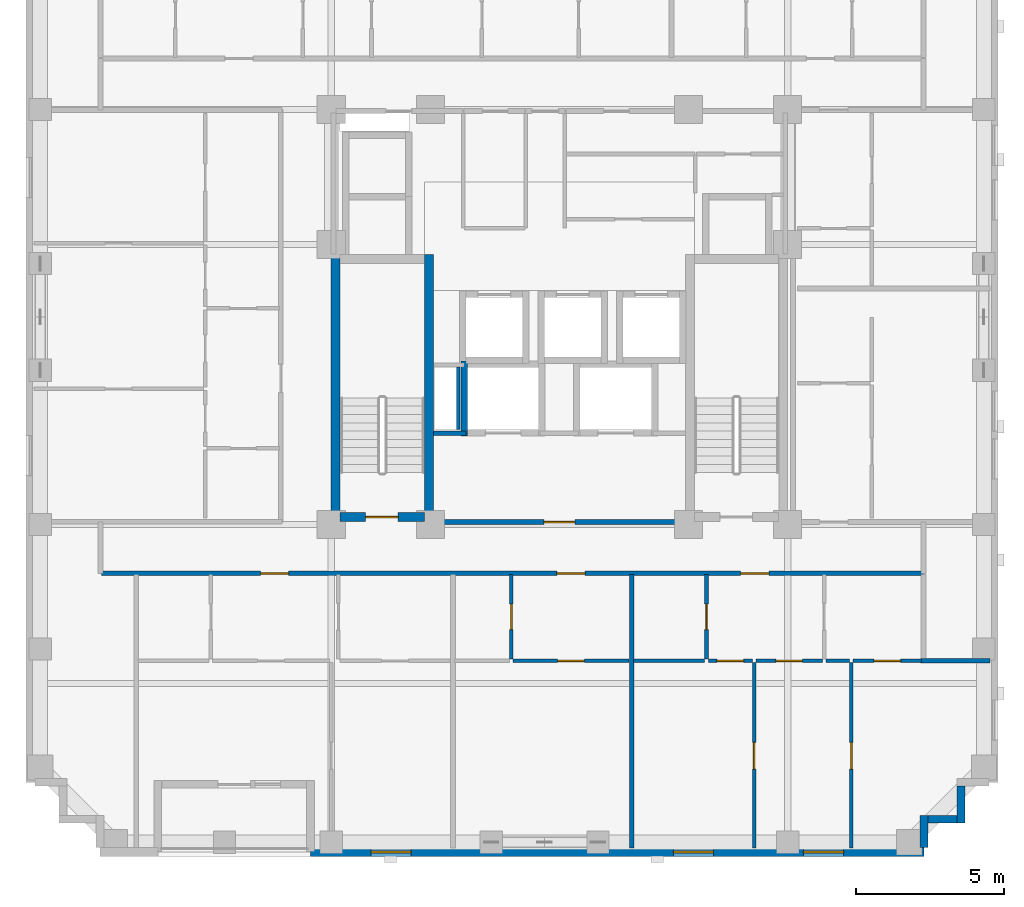
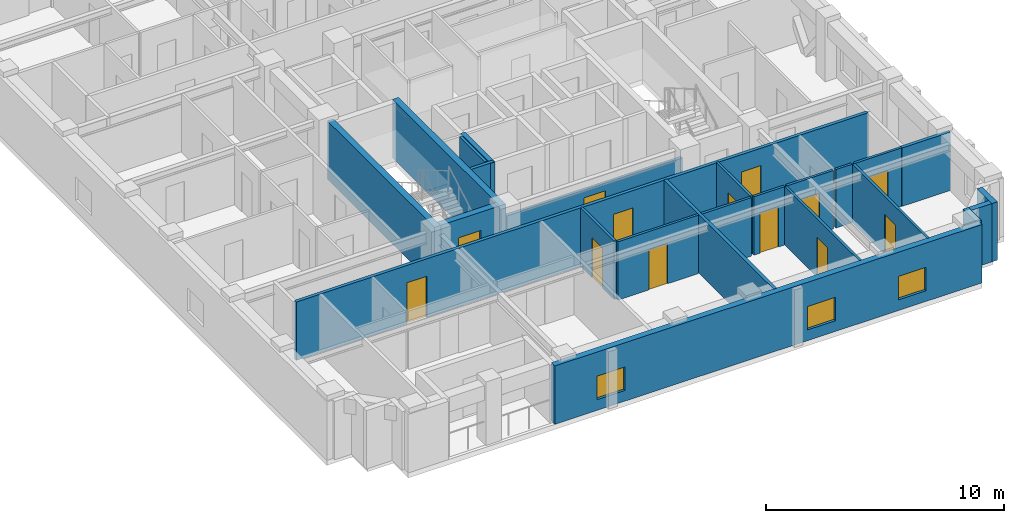
# One storey, part 3 of 11: 24 walls, 13 doors, 3 windows, 16 openings.
"""IFC4 building model written with IfcOpenShell, lengths in metres."""

from ifc_helpers import new_model, si_unit, derived_unit, direction, frame, frame_2d, origin, place, context, subcontext, project, spatial, rectangle, extrude, material, layer, layer_set, type_object, element, fill, save


model = new_model("IFC4")

# Units and contexts
model_context = context("Model", 3, precision=1e-05, world=origin(), true_north=direction((0.0, 1.0)))
body_context = subcontext(model_context, "Body", "Model", "MODEL_VIEW")
ifc_project = project(units=[si_unit("LENGTHUNIT", "METRE"), si_unit("AREAUNIT", "SQUARE_METRE"), si_unit("VOLUMEUNIT", "CUBIC_METRE"), si_unit("PLANEANGLEUNIT", "RADIAN"), si_unit("MASSUNIT", "GRAM", prefix="KILO"), derived_unit("THERMALTRANSMITTANCEUNIT", [(si_unit("MASSUNIT", "GRAM", prefix="KILO"), 1), (si_unit("TIMEUNIT", "SECOND"), -3), (si_unit("THERMODYNAMICTEMPERATUREUNIT", "KELVIN"), -1)])], contexts=[model_context])

# Site, building, storey
site_placement = place(None, origin())
site = spatial("IfcSite", under=ifc_project, at=site_placement, CompositionType="ELEMENT")
building_placement = place(site_placement, origin())
building = spatial("IfcBuilding", under=site, at=building_placement, Name="Korrvale Station Residences", CompositionType="ELEMENT")
storey_placement = place(building_placement, frame((0.0, 0.0, 137.39990234375)))
storey = spatial("IfcBuildingStorey", under=building, at=storey_placement, Name="L39", CompositionType="ELEMENT", Elevation=137.39990234375)

# Walls
ifc_material_1 = material(Name="Concrete C60/75", Category="concrete")
ifc_layer_1 = layer(ifc_material_1, 0.300048828125, Name="Concrete C60/75")
ifc_layer_set_1 = layer_set([ifc_layer_1], Name="Concrete C60/75")
wall_type_1 = type_object("IfcWallType", Name="WAL-CORE-300-C60", PredefinedType="SHEAR", material=ifc_layer_set_1)
for number, where, z_axis, x_axis, name in (
    (1, (17.949951171875, 15.10009765625, 0.0), (0.0, 0.0, 1.0), (0.0, 1.0, 0.0), "L39 ST-1 Core Shear Wall West"),
    (2, (21.10009765625, 15.10009765625, 0.0), (0.0, 0.0, 1.0), (0.0, 1.0, 0.0), "L39 ST-1 Core Shear Wall East"),
):
    element("IfcWall", number, at=place(storey_placement, frame(where, z_axis=z_axis, x_axis=x_axis)), inside=storey, type_object=wall_type_1, Name=name, PredefinedType="SHEAR", context=body_context, shape_type="SweptSolid", body=[
        extrude(rectangle(XDim=9.0, YDim=0.300048828125, at=frame_2d((4.5, 0.0))), origin(), (0.0, 0.0, 1.0), 2.989990234375),
    ])

# Wall, opening, door
wall_1_placement = place(storey_placement, frame((18.10009765625, 15.25, 0.0), z_axis=(0.0, 0.0, 1.0), x_axis=(1.0, 0.0, 0.0)))
wall_1 = element("IfcWall", 3, at=wall_1_placement, inside=storey, type_object=wall_type_1, Name="L39 ST-1 Core Shear Wall South", PredefinedType="SHEAR", context=body_context, shape_type="SweptSolid", body=[
    extrude(rectangle(XDim=2.849853515625, YDim=0.300048828125, at=frame_2d((1.4248046875, 0.0))), origin(), (0.0, 0.0, 1.0), 2.989990234375),
])
opening_1_placement = place(wall_1_placement, frame((0.860107421875, 0.0, 0.0)))
opening_1 = element("IfcOpeningElement", 4, at=opening_1_placement, cuts=wall_1, Name="Opening SD-1100", PredefinedType="OPENING", context=body_context, shape_type="SweptSolid", body=[
    extrude(rectangle(XDim=1.10009765625, YDim=2.050048828125, at=frame_2d((0.550048828125, 1.02490234375))), frame((0.0, 0.16015625, 0.0), z_axis=(0.0, -1.0, 0.0), x_axis=(1.0, 0.0, 0.0)), (0.0, 0.0, 1.0), 0.320068359375),
])
ifc_material_2 = material(Name="Hollow-metal fire-rated stair door with closer", Category="steel")
door_type_1 = type_object("IfcDoorType", Name="DR-STAIR-1100", OperationType="NOTDEFINED", PredefinedType="DOOR", material=ifc_material_2)
door_1_placement = place(opening_1_placement, origin())
door_1 = element("IfcDoor", 5, at=door_1_placement, inside=storey, type_object=door_type_1, Name="L39 ST-1 Exit Stair Door", OperationType="SINGLE_SWING_LEFT", OverallHeight=2.050048828125, OverallWidth=1.10009765625, PredefinedType="DOOR", context=body_context, shape_type="SweptSolid", body=[
    extrude(rectangle(XDim=1.10009765625, YDim=2.050048828125, at=frame_2d((0.550048828125, 1.02490234375))), frame((0.0, 0.02490234375, 0.0), z_axis=(0.0, -1.0, 0.0), x_axis=(1.0, 0.0, 0.0)), (0.0, 0.0, 1.0), 0.050048828125),
])
fill(opening_1, door_1)

# Walls
ifc_material_3 = material(Name="Precast concrete C45/55", Category="concrete")
ifc_layer_2 = layer(ifc_material_3, 0.260009765625, Name="Precast concrete C45/55")
ifc_layer_set_2 = layer_set([ifc_layer_2], Name="Precast concrete C45/55")
wall_type_2 = type_object("IfcWallType", Name="WAL-EXT-LOG260", PredefinedType="SOLIDWALL", material=ifc_layer_set_2)
wall_2_placement = place(storey_placement, frame((39.050048828125, 6.16796875, 0.0), z_axis=(0.0, 0.0, 1.0), x_axis=(0.0, -1.0, 0.0)))
element("IfcWall", 6, at=wall_2_placement, inside=storey, type_object=wall_type_2, Name="L39 Serrated Corner Precast Step SE-2", PredefinedType="SOLIDWALL", context=body_context, shape_type="SweptSolid", body=[
    extrude(rectangle(XDim=1.248046875, YDim=0.260009765625, at=frame_2d((0.6240234375, 0.0))), origin(), (0.0, 0.0, 1.0), 2.989990234375),
])
wall_3_placement = place(storey_placement, frame((38.91796875, 5.050048828125, 0.0), z_axis=(0.0, 0.0, 1.0), x_axis=(-1.0, 0.0, 0.0)))
element("IfcWall", 7, at=wall_3_placement, inside=storey, type_object=wall_type_2, Name="L39 Serrated Corner Precast Step SE-3", PredefinedType="SOLIDWALL", context=body_context, shape_type="SweptSolid", body=[
    extrude(rectangle(XDim=0.986083984375, YDim=0.260009765625, at=frame_2d((0.4931640625, 0.0))), origin(), (0.0, 0.0, 1.0), 2.989990234375),
])
wall_4_placement = place(storey_placement, frame((37.800048828125, 5.179931640625, 0.0), z_axis=(0.0, 0.0, 1.0), x_axis=(0.0, -1.0, 0.0)))
element("IfcWall", 8, at=wall_4_placement, inside=storey, type_object=wall_type_2, Name="L39 Serrated Corner Precast Step SE-4", PredefinedType="SOLIDWALL", context=body_context, shape_type="SweptSolid", body=[
    extrude(rectangle(XDim=1.077880859375, YDim=0.260009765625, at=frame_2d((0.5390625, 0.0))), origin(), (0.0, 0.0, 1.0), 2.989990234375),
])

# Wall, openings, windows
ifc_layer_3 = layer(ifc_material_3, 0.300048828125, Name="Precast concrete C45/55")
ifc_layer_set_3 = layer_set([ifc_layer_3], Name="Precast concrete C45/55")
wall_type_3 = type_object("IfcWallType", Name="WAL-EXT-PC300", PredefinedType="SOLIDWALL", material=ifc_layer_set_3)
wall_5_placement = place(storey_placement, frame((37.800048828125, 3.949951171875, 0.0), z_axis=(0.0, 0.0, 1.0), x_axis=(-1.0, 0.0, 0.0)))
wall_5 = element("IfcWall", 9, at=wall_5_placement, inside=storey, type_object=wall_type_3, Name="L39 South Exterior Precast Wall 1", PredefinedType="SOLIDWALL", context=body_context, shape_type="SweptSolid", body=[
    extrude(rectangle(XDim=20.699951171875, YDim=0.300048828125, at=frame_2d((10.35009765625, 0.0))), origin(), (0.0, 0.0, 1.0), 2.989990234375),
])
opening_2_placement = place(wall_5_placement, frame((17.304931640625, 0.0, 0.550048828125)))
opening_2 = element("IfcOpeningElement", 10, at=opening_2_placement, cuts=wall_5, Name="Opening W-10", PredefinedType="OPENING", context=body_context, shape_type="SweptSolid", body=[
    extrude(rectangle(XDim=1.35009765625, YDim=1.199951171875, at=frame_2d((0.675048828125, 0.60009765625))), frame((0.0, 0.16015625, 0.0), z_axis=(0.0, -1.0, 0.0), x_axis=(1.0, 0.0, 0.0)), (0.0, 0.0, 1.0), 0.320068359375),
])
opening_3_placement = place(wall_5_placement, frame((7.10595703125, 0.0, 0.550048828125)))
opening_3 = element("IfcOpeningElement", 11, at=opening_3_placement, cuts=wall_5, Name="Opening W-10", PredefinedType="OPENING", context=body_context, shape_type="SweptSolid", body=[
    extrude(rectangle(XDim=1.35009765625, YDim=1.199951171875, at=frame_2d((0.675048828125, 0.60009765625))), frame((0.0, 0.16015625, 0.0), z_axis=(0.0, -1.0, 0.0), x_axis=(1.0, 0.0, 0.0)), (0.0, 0.0, 1.0), 0.320068359375),
])
opening_4_placement = place(wall_5_placement, frame((2.715087890625, 0.0, 0.550048828125)))
opening_4 = element("IfcOpeningElement", 12, at=opening_4_placement, cuts=wall_5, Name="Opening W-10", PredefinedType="OPENING", context=body_context, shape_type="SweptSolid", body=[
    extrude(rectangle(XDim=1.35009765625, YDim=1.199951171875, at=frame_2d((0.675048828125, 0.60009765625))), frame((0.0, 0.16015625, 0.0), z_axis=(0.0, -1.0, 0.0), x_axis=(1.0, 0.0, 0.0)), (0.0, 0.0, 1.0), 0.320068359375),
])
ifc_material_4 = material(Name="Thermally broken aluminium frame with triple low-e glazing", Category="aluminium")
window_type = type_object("IfcWindowType", Name="WIN-W10", PartitioningType="SINGLE_PANEL", PredefinedType="WINDOW", material=ifc_material_4)
window_1_placement = place(opening_2_placement, origin())
window_1 = element("IfcWindow", 13, at=window_1_placement, inside=storey, type_object=window_type, Name="L39 Punched Window 02", OverallHeight=1.199951171875, OverallWidth=1.35009765625, PartitioningType="SINGLE_PANEL", PredefinedType="WINDOW", context=body_context, shape_type="SweptSolid", body=[
    extrude(rectangle(XDim=1.35009765625, YDim=1.199951171875, at=frame_2d((0.675048828125, 0.60009765625))), frame((0.0, 0.030029296875, 0.0), z_axis=(0.0, -1.0, 0.0), x_axis=(1.0, 0.0, 0.0)), (0.0, 0.0, 1.0), 0.06005859375),
])
fill(opening_2, window_1)
window_2_placement = place(opening_3_placement, origin())
window_2 = element("IfcWindow", 14, at=window_2_placement, inside=storey, type_object=window_type, Name="L39 Punched Window 03", OverallHeight=1.199951171875, OverallWidth=1.35009765625, PartitioningType="SINGLE_PANEL", PredefinedType="WINDOW", context=body_context, shape_type="SweptSolid", body=[
    extrude(rectangle(XDim=1.35009765625, YDim=1.199951171875, at=frame_2d((0.675048828125, 0.60009765625))), frame((0.0, 0.030029296875, 0.0), z_axis=(0.0, -1.0, 0.0), x_axis=(1.0, 0.0, 0.0)), (0.0, 0.0, 1.0), 0.06005859375),
])
fill(opening_3, window_2)
window_3_placement = place(opening_4_placement, origin())
window_3 = element("IfcWindow", 15, at=window_3_placement, inside=storey, type_object=window_type, Name="L39 Punched Window 04", OverallHeight=1.199951171875, OverallWidth=1.35009765625, PartitioningType="SINGLE_PANEL", PredefinedType="WINDOW", context=body_context, shape_type="SweptSolid", body=[
    extrude(rectangle(XDim=1.35009765625, YDim=1.199951171875, at=frame_2d((0.675048828125, 0.60009765625))), frame((0.0, 0.030029296875, 0.0), z_axis=(0.0, -1.0, 0.0), x_axis=(1.0, 0.0, 0.0)), (0.0, 0.0, 1.0), 0.06005859375),
])
fill(opening_4, window_3)

# Wall
ifc_material_5 = material(Name="Acoustic steel-stud gypsum board partition", Category="steel")
ifc_layer_4 = layer(ifc_material_5, 0.1201171875, Name="Acoustic steel-stud gypsum board partition")
ifc_layer_set_4 = layer_set([ifc_layer_4], Name="Acoustic steel-stud gypsum board partition")
wall_type_4 = type_object("IfcWallType", Name="WAL-PART-125", PredefinedType="PARTITIONING", material=ifc_layer_set_4)
wall_6_placement = place(storey_placement, frame((22.080078125, 18.199951171875, 0.0), z_axis=(0.0, 0.0, 1.0), x_axis=(0.0, 1.0, 0.0)))
element("IfcWall", 16, at=wall_6_placement, inside=storey, type_object=wall_type_4, Name="L39 Core Partition CW-RSWT", PredefinedType="PARTITIONING", context=body_context, shape_type="SweptSolid", body=[
    extrude(rectangle(XDim=2.1201171875, YDim=0.1201171875, at=frame_2d((1.06005859375, 0.0))), origin(), (0.0, 0.0, 1.0), 2.989990234375),
])

# Wall, opening, door
wall_7_placement = place(storey_placement, frame((23.8779296875, 10.4599609375, 0.0), z_axis=(0.0, 0.0, 1.0), x_axis=(0.0, 1.0, 0.0)))
wall_7 = element("IfcWall", 17, at=wall_7_placement, inside=storey, type_object=wall_type_4, Name="L39 Suite Partition U02-V01", PredefinedType="PARTITIONING", context=body_context, shape_type="SweptSolid", body=[
    extrude(rectangle(XDim=2.85009765625, YDim=0.1201171875, at=frame_2d((1.425048828125, 0.0))), origin(), (0.0, 0.0, 1.0), 2.989990234375),
])
opening_5_placement = place(wall_7_placement, frame((0.9951171875, 0.0, 0.0)))
opening_5 = element("IfcOpeningElement", 18, at=opening_5_placement, cuts=wall_7, Name="Opening DB-860", PredefinedType="OPENING", context=body_context, shape_type="SweptSolid", body=[
    extrude(rectangle(XDim=0.860107421875, YDim=2.050048828125, at=frame_2d((0.43017578125, 1.02490234375))), frame((0.0, 0.070068359375, 0.0), z_axis=(0.0, -1.0, 0.0), x_axis=(1.0, 0.0, 0.0)), (0.0, 0.0, 1.0), 0.14013671875),
])
ifc_material_6 = material(Name="Moisture-resistant solid-core bathroom door", Category="timber")
door_type_2 = type_object("IfcDoorType", Name="DR-BATH-860", OperationType="NOTDEFINED", PredefinedType="DOOR", material=ifc_material_6)
door_2_placement = place(opening_5_placement, origin())
door_2 = element("IfcDoor", 19, at=door_2_placement, inside=storey, type_object=door_type_2, Name="L39 Studio Apartment L39-U02 Bathroom Door", OperationType="SINGLE_SWING_RIGHT", OverallHeight=2.050048828125, OverallWidth=0.860107421875, PredefinedType="DOOR", context=body_context, shape_type="SweptSolid", body=[
    extrude(rectangle(XDim=0.860107421875, YDim=2.050048828125, at=frame_2d((0.43017578125, 1.02490234375))), frame((0.0, 0.02490234375, 0.0), z_axis=(0.0, -1.0, 0.0), x_axis=(1.0, 0.0, 0.0)), (0.0, 0.0, 1.0), 0.050048828125),
])
fill(opening_5, door_2)

wall_8_placement = place(storey_placement, frame((23.93798828125, 10.39990234375, 0.0), z_axis=(0.0, 0.0, 1.0), x_axis=(1.0, 0.0, 0.0)))
wall_8 = element("IfcWall", 20, at=wall_8_placement, inside=storey, type_object=wall_type_4, Name="L39 Suite Partition U02-H12", PredefinedType="PARTITIONING", context=body_context, shape_type="SweptSolid", body=[
    extrude(rectangle(XDim=3.904052734375, YDim=0.1201171875, at=frame_2d((1.9521484375, 0.0))), origin(), (0.0, 0.0, 1.0), 2.989990234375),
])
opening_6_placement = place(wall_8_placement, frame((1.501953125, 0.0, 0.0)))
opening_6 = element("IfcOpeningElement", 21, at=opening_6_placement, cuts=wall_8, Name="Opening DI-900", PredefinedType="OPENING", context=body_context, shape_type="SweptSolid", body=[
    extrude(rectangle(XDim=0.89990234375, YDim=2.050048828125, at=frame_2d((0.449951171875, 1.02490234375))), frame((0.0, 0.070068359375, 0.0), z_axis=(0.0, -1.0, 0.0), x_axis=(1.0, 0.0, 0.0)), (0.0, 0.0, 1.0), 0.14013671875),
])
ifc_material_7 = material(Name="Painted solid-core timber interior room door", Category="wood")
door_type_3 = type_object("IfcDoorType", Name="DR-INT-900", OperationType="NOTDEFINED", PredefinedType="DOOR", material=ifc_material_7)
door_3_placement = place(opening_6_placement, origin())
door_3 = element("IfcDoor", 22, at=door_3_placement, inside=storey, type_object=door_type_3, Name="L39 Studio Apartment L39-U02 Kitchen Door", OperationType="SINGLE_SWING_LEFT", OverallHeight=2.050048828125, OverallWidth=0.89990234375, PredefinedType="DOOR", context=body_context, shape_type="SweptSolid", body=[
    extrude(rectangle(XDim=0.89990234375, YDim=2.050048828125, at=frame_2d((0.449951171875, 1.02490234375))), frame((0.0, 0.02490234375, 0.0), z_axis=(0.0, -1.0, 0.0), x_axis=(1.0, 0.0, 0.0)), (0.0, 0.0, 1.0), 0.050048828125),
])
fill(opening_6, door_3)

wall_9_placement = place(storey_placement, frame((30.4619140625, 10.4599609375, 0.0), z_axis=(0.0, 0.0, 1.0), x_axis=(0.0, 1.0, 0.0)))
wall_9 = element("IfcWall", 23, at=wall_9_placement, inside=storey, type_object=wall_type_4, Name="L39 Suite Partition U03-V01", PredefinedType="PARTITIONING", context=body_context, shape_type="SweptSolid", body=[
    extrude(rectangle(XDim=2.85009765625, YDim=0.1201171875, at=frame_2d((1.425048828125, 0.0))), origin(), (0.0, 0.0, 1.0), 2.989990234375),
])
opening_7_placement = place(wall_9_placement, frame((0.9951171875, 0.0, 0.0)))
opening_7 = element("IfcOpeningElement", 24, at=opening_7_placement, cuts=wall_9, Name="Opening DB-860", PredefinedType="OPENING", context=body_context, shape_type="SweptSolid", body=[
    extrude(rectangle(XDim=0.860107421875, YDim=2.050048828125, at=frame_2d((0.43017578125, 1.02490234375))), frame((0.0, 0.070068359375, 0.0), z_axis=(0.0, -1.0, 0.0), x_axis=(1.0, 0.0, 0.0)), (0.0, 0.0, 1.0), 0.14013671875),
])
door_4_placement = place(opening_7_placement, origin())
door_4 = element("IfcDoor", 25, at=door_4_placement, inside=storey, type_object=door_type_2, Name="L39 Apartment 1BR L39-U03 Bathroom Door", OperationType="SINGLE_SWING_RIGHT", OverallHeight=2.050048828125, OverallWidth=0.860107421875, PredefinedType="DOOR", context=body_context, shape_type="SweptSolid", body=[
    extrude(rectangle(XDim=0.860107421875, YDim=2.050048828125, at=frame_2d((0.43017578125, 1.02490234375))), frame((0.0, 0.02490234375, 0.0), z_axis=(0.0, -1.0, 0.0), x_axis=(1.0, 0.0, 0.0)), (0.0, 0.0, 1.0), 0.050048828125),
])
fill(opening_7, door_4)

# Wall
wall_10_placement = place(storey_placement, frame((28.001953125, 10.39990234375, 0.0), z_axis=(0.0, 0.0, 1.0), x_axis=(1.0, 0.0, 0.0)))
element("IfcWall", 26, at=wall_10_placement, inside=storey, type_object=wall_type_4, Name="L39 Suite Partition U03-H03", PredefinedType="PARTITIONING", context=body_context, shape_type="SweptSolid", body=[
    extrude(rectangle(XDim=2.400146484375, YDim=0.1201171875, at=frame_2d((1.2001953125, 0.0))), origin(), (0.0, 0.0, 1.0), 2.989990234375),
])

# Wall, opening, door
wall_11_placement = place(storey_placement, frame((30.52197265625, 10.39990234375, 0.0), z_axis=(0.0, 0.0, 1.0), x_axis=(1.0, 0.0, 0.0)))
wall_11 = element("IfcWall", 27, at=wall_11_placement, inside=storey, type_object=wall_type_4, Name="L39 Suite Partition U03-H13", PredefinedType="PARTITIONING", context=body_context, shape_type="SweptSolid", body=[
    extrude(rectangle(XDim=1.488037109375, YDim=0.1201171875, at=frame_2d((0.744140625, 0.0))), origin(), (0.0, 0.0, 1.0), 2.989990234375),
])
opening_8_placement = place(wall_11_placement, frame((0.2939453125, 0.0, 0.0)))
opening_8 = element("IfcOpeningElement", 28, at=opening_8_placement, cuts=wall_11, Name="Opening DI-900", PredefinedType="OPENING", context=body_context, shape_type="SweptSolid", body=[
    extrude(rectangle(XDim=0.89990234375, YDim=2.050048828125, at=frame_2d((0.449951171875, 1.02490234375))), frame((0.0, 0.070068359375, 0.0), z_axis=(0.0, -1.0, 0.0), x_axis=(1.0, 0.0, 0.0)), (0.0, 0.0, 1.0), 0.14013671875),
])
door_5_placement = place(opening_8_placement, origin())
door_5 = element("IfcDoor", 29, at=door_5_placement, inside=storey, type_object=door_type_3, Name="L39 Apartment 1BR L39-U03 Kitchen Door", OperationType="SINGLE_SWING_RIGHT", OverallHeight=2.050048828125, OverallWidth=0.89990234375, PredefinedType="DOOR", context=body_context, shape_type="SweptSolid", body=[
    extrude(rectangle(XDim=0.89990234375, YDim=2.050048828125, at=frame_2d((0.449951171875, 1.02490234375))), frame((0.0, 0.02490234375, 0.0), z_axis=(0.0, -1.0, 0.0), x_axis=(1.0, 0.0, 0.0)), (0.0, 0.0, 1.0), 0.050048828125),
])
fill(opening_8, door_5)

wall_12_placement = place(storey_placement, frame((32.1298828125, 10.39990234375, 0.0), z_axis=(0.0, 0.0, 1.0), x_axis=(1.0, 0.0, 0.0)))
wall_12 = element("IfcWall", 30, at=wall_12_placement, inside=storey, type_object=wall_type_4, Name="L39 Suite Partition U03-H14", PredefinedType="PARTITIONING", context=body_context, shape_type="SweptSolid", body=[
    extrude(rectangle(XDim=2.240234375, YDim=0.1201171875, at=frame_2d((1.1201171875, 0.0))), origin(), (0.0, 0.0, 1.0), 2.989990234375),
])
opening_9_placement = place(wall_12_placement, frame((0.669921875, 0.0, 0.0)))
opening_9 = element("IfcOpeningElement", 31, at=opening_9_placement, cuts=wall_12, Name="Opening DI-900", PredefinedType="OPENING", context=body_context, shape_type="SweptSolid", body=[
    extrude(rectangle(XDim=0.89990234375, YDim=2.050048828125, at=frame_2d((0.449951171875, 1.02490234375))), frame((0.0, 0.070068359375, 0.0), z_axis=(0.0, -1.0, 0.0), x_axis=(1.0, 0.0, 0.0)), (0.0, 0.0, 1.0), 0.14013671875),
])
door_6_placement = place(opening_9_placement, origin())
door_6 = element("IfcDoor", 32, at=door_6_placement, inside=storey, type_object=door_type_3, Name="L39 Apartment 1BR L39-U03 Kitchen Door", OperationType="SINGLE_SWING_LEFT", OverallHeight=2.050048828125, OverallWidth=0.89990234375, PredefinedType="DOOR", context=body_context, shape_type="SweptSolid", body=[
    extrude(rectangle(XDim=0.89990234375, YDim=2.050048828125, at=frame_2d((0.449951171875, 1.02490234375))), frame((0.0, 0.02490234375, 0.0), z_axis=(0.0, -1.0, 0.0), x_axis=(1.0, 0.0, 0.0)), (0.0, 0.0, 1.0), 0.050048828125),
])
fill(opening_9, door_6)

# Wall
wall_13_placement = place(storey_placement, frame((34.489990234375, 10.39990234375, 0.0), z_axis=(0.0, 0.0, 1.0), x_axis=(1.0, 0.0, 0.0)))
element("IfcWall", 33, at=wall_13_placement, inside=storey, type_object=wall_type_4, Name="L39 Suite Partition U03-H24", PredefinedType="PARTITIONING", context=body_context, shape_type="SweptSolid", body=[
    extrude(rectangle(XDim=0.800048828125, YDim=0.1201171875, at=frame_2d((0.39990234375, 0.0))), origin(), (0.0, 0.0, 1.0), 2.989990234375),
])

# Wall, opening, door
wall_14_placement = place(storey_placement, frame((35.409912109375, 10.39990234375, 0.0), z_axis=(0.0, 0.0, 1.0), x_axis=(1.0, 0.0, 0.0)))
wall_14 = element("IfcWall", 34, at=wall_14_placement, inside=storey, type_object=wall_type_4, Name="L39 Suite Partition U03-H25", PredefinedType="PARTITIONING", context=body_context, shape_type="SweptSolid", body=[
    extrude(rectangle(XDim=2.31005859375, YDim=0.1201171875, at=frame_2d((1.155029296875, 0.0))), origin(), (0.0, 0.0, 1.0), 2.989990234375),
])
opening_10_placement = place(wall_14_placement, frame((0.705078125, 0.0, 0.0)))
opening_10 = element("IfcOpeningElement", 35, at=opening_10_placement, cuts=wall_14, Name="Opening DI-900", PredefinedType="OPENING", context=body_context, shape_type="SweptSolid", body=[
    extrude(rectangle(XDim=0.89990234375, YDim=2.050048828125, at=frame_2d((0.449951171875, 1.02490234375))), frame((0.0, 0.070068359375, 0.0), z_axis=(0.0, -1.0, 0.0), x_axis=(1.0, 0.0, 0.0)), (0.0, 0.0, 1.0), 0.14013671875),
])
door_7_placement = place(opening_10_placement, origin())
door_7 = element("IfcDoor", 36, at=door_7_placement, inside=storey, type_object=door_type_3, Name="L39 Apartment 1BR L39-U03 Wardrobe Storage Room Door", OperationType="SINGLE_SWING_RIGHT", OverallHeight=2.050048828125, OverallWidth=0.89990234375, PredefinedType="DOOR", context=body_context, shape_type="SweptSolid", body=[
    extrude(rectangle(XDim=0.89990234375, YDim=2.050048828125, at=frame_2d((0.449951171875, 1.02490234375))), frame((0.0, 0.02490234375, 0.0), z_axis=(0.0, -1.0, 0.0), x_axis=(1.0, 0.0, 0.0)), (0.0, 0.0, 1.0), 0.050048828125),
])
fill(opening_10, door_7)

wall_15_placement = place(storey_placement, frame((32.070068359375, 4.080078125, 0.0), z_axis=(0.0, 0.0, 1.0), x_axis=(0.0, 1.0, 0.0)))
wall_15 = element("IfcWall", 37, at=wall_15_placement, inside=storey, type_object=wall_type_4, Name="L39 Suite Partition U03-V34", PredefinedType="PARTITIONING", context=body_context, shape_type="SweptSolid", body=[
    extrude(rectangle(XDim=6.260009765625, YDim=0.1201171875, at=frame_2d((3.1298828125, 0.0))), origin(), (0.0, 0.0, 1.0), 2.989990234375),
])
opening_11_placement = place(wall_15_placement, frame((2.6650390625, 0.0, 0.0)))
opening_11 = element("IfcOpeningElement", 38, at=opening_11_placement, cuts=wall_15, Name="Opening DI-900", PredefinedType="OPENING", context=body_context, shape_type="SweptSolid", body=[
    extrude(rectangle(XDim=0.89990234375, YDim=2.050048828125, at=frame_2d((0.449951171875, 1.02490234375))), frame((0.0, 0.070068359375, 0.0), z_axis=(0.0, -1.0, 0.0), x_axis=(1.0, 0.0, 0.0)), (0.0, 0.0, 1.0), 0.14013671875),
])
door_8_placement = place(opening_11_placement, origin())
door_8 = element("IfcDoor", 39, at=door_8_placement, inside=storey, type_object=door_type_3, Name="L39 Apartment 1BR L39-U03 Living and Dining Room Door", OperationType="SINGLE_SWING_LEFT", OverallHeight=2.050048828125, OverallWidth=0.89990234375, PredefinedType="DOOR", context=body_context, shape_type="SweptSolid", body=[
    extrude(rectangle(XDim=0.89990234375, YDim=2.050048828125, at=frame_2d((0.449951171875, 1.02490234375))), frame((0.0, 0.02490234375, 0.0), z_axis=(0.0, -1.0, 0.0), x_axis=(1.0, 0.0, 0.0)), (0.0, 0.0, 1.0), 0.050048828125),
])
fill(opening_11, door_8)

wall_16_placement = place(storey_placement, frame((35.35009765625, 4.080078125, 0.0), z_axis=(0.0, 0.0, 1.0), x_axis=(0.0, 1.0, 0.0)))
wall_16 = element("IfcWall", 40, at=wall_16_placement, inside=storey, type_object=wall_type_4, Name="L39 Suite Partition U03-V45", PredefinedType="PARTITIONING", context=body_context, shape_type="SweptSolid", body=[
    extrude(rectangle(XDim=6.260009765625, YDim=0.1201171875, at=frame_2d((3.1298828125, 0.0))), origin(), (0.0, 0.0, 1.0), 2.989990234375),
])
opening_12_placement = place(wall_16_placement, frame((2.6650390625, 0.0, 0.0)))
opening_12 = element("IfcOpeningElement", 41, at=opening_12_placement, cuts=wall_16, Name="Opening DI-900", PredefinedType="OPENING", context=body_context, shape_type="SweptSolid", body=[
    extrude(rectangle(XDim=0.89990234375, YDim=2.050048828125, at=frame_2d((0.449951171875, 1.02490234375))), frame((0.0, 0.070068359375, 0.0), z_axis=(0.0, -1.0, 0.0), x_axis=(1.0, 0.0, 0.0)), (0.0, 0.0, 1.0), 0.14013671875),
])
door_9_placement = place(opening_12_placement, origin())
door_9 = element("IfcDoor", 42, at=door_9_placement, inside=storey, type_object=door_type_3, Name="L39 Apartment 1BR L39-U03 Formal Dining Room Door", OperationType="SINGLE_SWING_RIGHT", OverallHeight=2.050048828125, OverallWidth=0.89990234375, PredefinedType="DOOR", context=body_context, shape_type="SweptSolid", body=[
    extrude(rectangle(XDim=0.89990234375, YDim=2.050048828125, at=frame_2d((0.449951171875, 1.02490234375))), frame((0.0, 0.02490234375, 0.0), z_axis=(0.0, -1.0, 0.0), x_axis=(1.0, 0.0, 0.0)), (0.0, 0.0, 1.0), 0.050048828125),
])
fill(opening_12, door_9)

ifc_material_8 = material(Name="Fire-rated twin-stud gypsum and mineral wool shaftwall assembly", Category="gypsum")
ifc_layer_5 = layer(ifc_material_8, 0.159912109375, Name="Fire-rated twin-stud gypsum and mineral wool shaftwall assembly")
ifc_layer_set_5 = layer_set([ifc_layer_5], Name="Fire-rated twin-stud gypsum and mineral wool shaftwall assembly")
wall_type_5 = type_object("IfcWallType", Name="WAL-PART-200", PredefinedType="PARTITIONING", material=ifc_layer_set_5)
wall_17_placement = place(storey_placement, frame((21.25, 15.080078125, 0.0), z_axis=(0.0, 0.0, 1.0), x_axis=(1.0, 0.0, 0.0)))
wall_17 = element("IfcWall", 43, at=wall_17_placement, inside=storey, type_object=wall_type_5, Name="L39 Core Partition CW-FFL-S", PredefinedType="PARTITIONING", context=body_context, shape_type="SweptSolid", body=[
    extrude(rectangle(XDim=8.5, YDim=0.159912109375, at=frame_2d((4.25, 0.0))), origin(), (0.0, 0.0, 1.0), 2.426025390625),
])
opening_13_placement = place(wall_17_placement, frame((3.72509765625, 0.0, 0.0)))
opening_13 = element("IfcOpeningElement", 44, at=opening_13_placement, cuts=wall_17, Name="Opening FD-1050", PredefinedType="OPENING", context=body_context, shape_type="SweptSolid", body=[
    extrude(rectangle(XDim=1.050048828125, YDim=2.050048828125, at=frame_2d((0.52490234375, 1.02490234375))), frame((0.0, 0.08984375, 0.0), z_axis=(0.0, -1.0, 0.0), x_axis=(1.0, 0.0, 0.0)), (0.0, 0.0, 1.0), 0.179931640625),
])
ifc_material_9 = material(Name="Fire-rated mineral-core timber lobby door", Category="wood")
door_type_4 = type_object("IfcDoorType", Name="DR-CORE-1050", OperationType="NOTDEFINED", PredefinedType="DOOR", material=ifc_material_9)
door_10_placement = place(opening_13_placement, origin())
door_10 = element("IfcDoor", 45, at=door_10_placement, inside=storey, type_object=door_type_4, Name="L39 Firefighting Lobby Entry Door", OperationType="SINGLE_SWING_RIGHT", OverallHeight=2.050048828125, OverallWidth=1.050048828125, PredefinedType="DOOR", context=body_context, shape_type="SweptSolid", body=[
    extrude(rectangle(XDim=1.050048828125, YDim=2.050048828125, at=frame_2d((0.52490234375, 1.02490234375))), frame((0.0, 0.02490234375, 0.0), z_axis=(0.0, -1.0, 0.0), x_axis=(1.0, 0.0, 0.0)), (0.0, 0.0, 1.0), 0.050048828125),
])
fill(opening_13, door_10)

# Walls
wall_18_placement = place(storey_placement, frame((21.25, 18.080078125, 0.0), z_axis=(0.0, 0.0, 1.0), x_axis=(1.0, 0.0, 0.0)))
element("IfcWall", 46, at=wall_18_placement, inside=storey, type_object=wall_type_5, Name="L39 Core Partition CW-FFL-N1", PredefinedType="PARTITIONING", context=body_context, shape_type="SweptSolid", body=[
    extrude(rectangle(XDim=1.10009765625, YDim=0.159912109375, at=frame_2d((0.550048828125, 0.0))), origin(), (0.0, 0.0, 1.0), 2.989990234375),
])
wall_19_placement = place(storey_placement, frame((37.679931640625, 10.39990234375, 0.0), z_axis=(0.0, 0.0, 1.0), x_axis=(1.0, 0.0, 0.0)))
element("IfcWall", 47, at=wall_19_placement, inside=storey, type_object=wall_type_5, Name="L39 Corner Step Wall U03-R", PredefinedType="PARTITIONING", context=body_context, shape_type="SweptSolid", body=[
    extrude(rectangle(XDim=2.340087890625, YDim=0.159912109375, at=frame_2d((1.169921875, 0.0))), origin(), (0.0, 0.0, 1.0), 2.989990234375),
])
wall_20_placement = place(storey_placement, frame((27.94189453125, 4.080078125, 0.0), z_axis=(0.0, 0.0, 1.0), x_axis=(0.0, 1.0, 0.0)))
element("IfcWall", 48, at=wall_20_placement, inside=storey, type_object=wall_type_5, Name="L39 Demising Wall U03-W", PredefinedType="PARTITIONING", context=body_context, shape_type="SweptSolid", body=[
    extrude(rectangle(XDim=9.22998046875, YDim=0.159912109375, at=frame_2d((4.614990234375, 0.0))), origin(), (0.0, 0.0, 1.0), 2.989990234375),
])

# Wall, openings, doors
wall_21_placement = place(storey_placement, frame((10.050048828125, 13.35009765625, 0.0), z_axis=(0.0, 0.0, 1.0), x_axis=(1.0, 0.0, 0.0)))
wall_21 = element("IfcWall", 49, at=wall_21_placement, inside=storey, type_object=wall_type_5, Name="L39 Rated Corridor Wall S", PredefinedType="PARTITIONING", context=body_context, shape_type="SweptSolid", body=[
    extrude(rectangle(XDim=27.699951171875, YDim=0.159912109375, at=frame_2d((13.85009765625, 0.0))), origin(), (0.0, 0.0, 1.0), 2.989990234375),
])
opening_14_placement = place(wall_21_placement, frame((5.364990234375, 0.0, 0.0)))
opening_14 = element("IfcOpeningElement", 50, at=opening_14_placement, cuts=wall_21, Name="Opening UD-950", PredefinedType="OPENING", context=body_context, shape_type="SweptSolid", body=[
    extrude(rectangle(XDim=0.949951171875, YDim=2.10009765625, at=frame_2d((0.47509765625, 1.050048828125))), frame((0.0, 0.08984375, 0.0), z_axis=(0.0, -1.0, 0.0), x_axis=(1.0, 0.0, 0.0)), (0.0, 0.0, 1.0), 0.179931640625),
])
opening_15_placement = place(wall_21_placement, frame((15.364990234375, 0.0, 0.0)))
opening_15 = element("IfcOpeningElement", 51, at=opening_15_placement, cuts=wall_21, Name="Opening UD-950", PredefinedType="OPENING", context=body_context, shape_type="SweptSolid", body=[
    extrude(rectangle(XDim=0.949951171875, YDim=2.10009765625, at=frame_2d((0.47509765625, 1.050048828125))), frame((0.0, 0.08984375, 0.0), z_axis=(0.0, -1.0, 0.0), x_axis=(1.0, 0.0, 0.0)), (0.0, 0.0, 1.0), 0.179931640625),
])
opening_16_placement = place(wall_21_placement, frame((21.56494140625, 0.0, 0.0)))
opening_16 = element("IfcOpeningElement", 52, at=opening_16_placement, cuts=wall_21, Name="Opening UD-950", PredefinedType="OPENING", context=body_context, shape_type="SweptSolid", body=[
    extrude(rectangle(XDim=0.949951171875, YDim=2.10009765625, at=frame_2d((0.47509765625, 1.050048828125))), frame((0.0, 0.08984375, 0.0), z_axis=(0.0, -1.0, 0.0), x_axis=(1.0, 0.0, 0.0)), (0.0, 0.0, 1.0), 0.179931640625),
])
ifc_material_10 = material(Name="Solid-core acoustic oak apartment entrance door", Category="timber")
door_type_5 = type_object("IfcDoorType", Name="DR-UNIT-950", OperationType="NOTDEFINED", PredefinedType="DOOR", material=ifc_material_10)
door_11_placement = place(opening_14_placement, origin())
door_11 = element("IfcDoor", 53, at=door_11_placement, inside=storey, type_object=door_type_5, Name="L39 Apartment L39-U01 Entrance Door", OperationType="SINGLE_SWING_RIGHT", OverallHeight=2.10009765625, OverallWidth=0.949951171875, PredefinedType="DOOR", context=body_context, shape_type="SweptSolid", body=[
    extrude(rectangle(XDim=0.949951171875, YDim=2.10009765625, at=frame_2d((0.47509765625, 1.050048828125))), frame((0.0, 0.02490234375, 0.0), z_axis=(0.0, -1.0, 0.0), x_axis=(1.0, 0.0, 0.0)), (0.0, 0.0, 1.0), 0.050048828125),
])
fill(opening_14, door_11)
door_12_placement = place(opening_15_placement, origin())
door_12 = element("IfcDoor", 54, at=door_12_placement, inside=storey, type_object=door_type_5, Name="L39 Apartment L39-U02 Entrance Door", OperationType="SINGLE_SWING_LEFT", OverallHeight=2.10009765625, OverallWidth=0.949951171875, PredefinedType="DOOR", context=body_context, shape_type="SweptSolid", body=[
    extrude(rectangle(XDim=0.949951171875, YDim=2.10009765625, at=frame_2d((0.47509765625, 1.050048828125))), frame((0.0, 0.02490234375, 0.0), z_axis=(0.0, -1.0, 0.0), x_axis=(1.0, 0.0, 0.0)), (0.0, 0.0, 1.0), 0.050048828125),
])
fill(opening_15, door_12)
door_13_placement = place(opening_16_placement, origin())
door_13 = element("IfcDoor", 55, at=door_13_placement, inside=storey, type_object=door_type_5, Name="L39 Apartment L39-U03 Entrance Door", OperationType="SINGLE_SWING_RIGHT", OverallHeight=2.10009765625, OverallWidth=0.949951171875, PredefinedType="DOOR", context=body_context, shape_type="SweptSolid", body=[
    extrude(rectangle(XDim=0.949951171875, YDim=2.10009765625, at=frame_2d((0.47509765625, 1.050048828125))), frame((0.0, 0.02490234375, 0.0), z_axis=(0.0, -1.0, 0.0), x_axis=(1.0, 0.0, 0.0)), (0.0, 0.0, 1.0), 0.050048828125),
])
fill(opening_16, door_13)

# Wall
ifc_layer_6 = layer(ifc_material_1, 0.219970703125, Name="Concrete C60/75")
ifc_layer_set_6 = layer_set([ifc_layer_6], Name="Concrete C60/75")
wall_type_6 = type_object("IfcWallType", Name="WAL-SHAFT-220-C60", PredefinedType="SHEAR", material=ifc_layer_set_6)
wall_22_placement = place(storey_placement, frame((22.2900390625, 17.97998046875, 0.0), z_axis=(0.0, 0.0, 1.0), x_axis=(0.0, 1.0, 0.0)))
element("IfcWall", 56, at=wall_22_placement, inside=storey, type_object=wall_type_6, Name="L39 Elevator FFL-1 Hoistway Wall West", PredefinedType="SHEAR", context=body_context, shape_type="SweptSolid", body=[
    extrude(rectangle(XDim=2.5400390625, YDim=0.219970703125, at=frame_2d((1.27001953125, 0.0))), origin(), (0.0, 0.0, 1.0), 2.989990234375),
])

save(model, "model.ifc")
